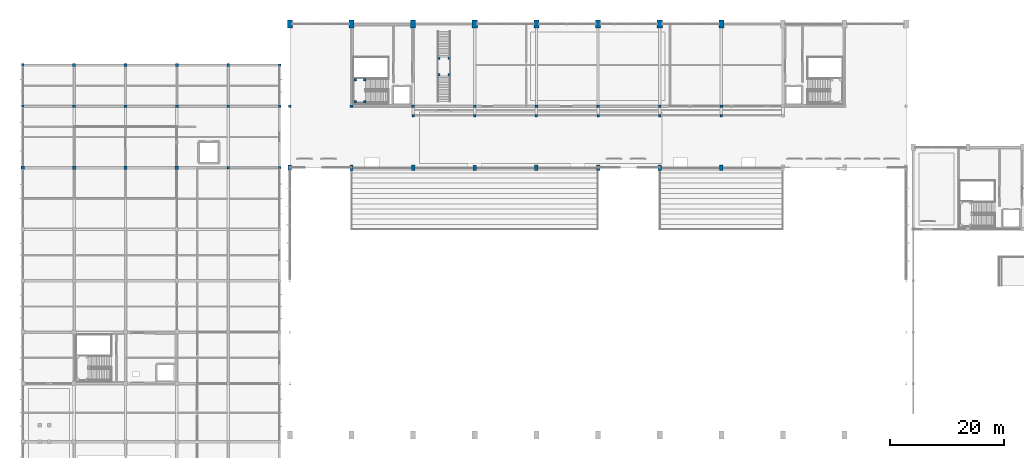
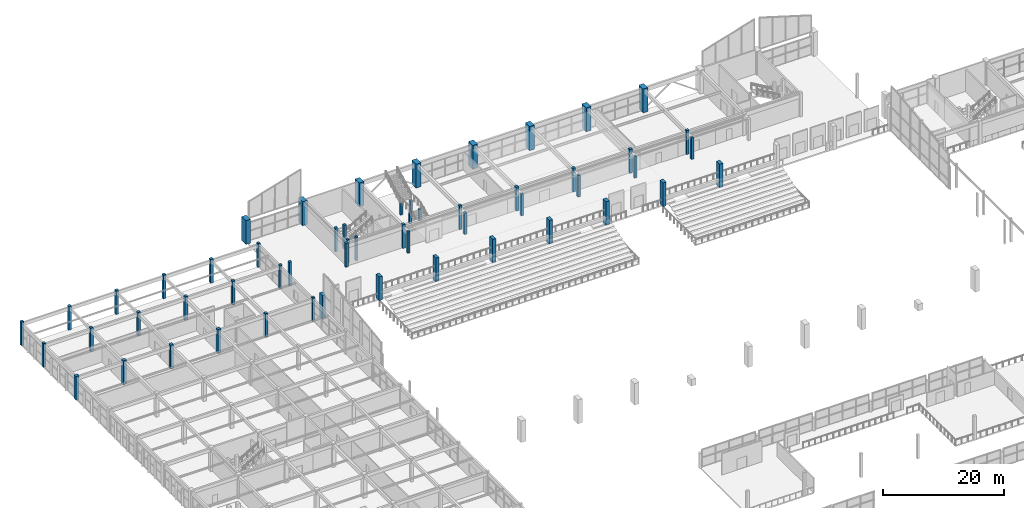
# One storey, part 5 of 74: 56 columns.
"""IFC4 building model written with IfcOpenShell, lengths in metres."""

from ifc_helpers import new_model, si_unit, direction, frame, origin, origin_2d, place, context, subcontext, project, spatial, rectangle, extrude, material, material_profile, profile_set, type_object, element, save


model = new_model("IFC4")

# Units and contexts
model_context = context("Model", 3, precision=1e-05, world=origin(), true_north=direction((0.0, 1.0)))
body_context = subcontext(model_context, "Body", "Model", "MODEL_VIEW")
ifc_project = project(units=[si_unit("LENGTHUNIT", "METRE"), si_unit("AREAUNIT", "SQUARE_METRE"), si_unit("VOLUMEUNIT", "CUBIC_METRE"), si_unit("PLANEANGLEUNIT", "RADIAN"), si_unit("MASSUNIT", "GRAM", prefix="KILO")], contexts=[model_context])

# Site, building, storey
site_placement = place(None, origin())
site = spatial("IfcSite", under=ifc_project, at=site_placement, CompositionType="ELEMENT")
building_placement = place(site_placement, origin())
building = spatial("IfcBuilding", under=site, at=building_placement, Name="Suirenkawa Promenade Aquatics Centre", CompositionType="ELEMENT")
storey_placement = place(building_placement, frame((0.0, 0.0, 4.800048828125)))
storey = spatial("IfcBuildingStorey", under=building, at=storey_placement, Name="L01", CompositionType="ELEMENT", Elevation=4.800048828125)

# Columns
ifc_material = material(Name="Concrete M40", Category="concrete")
ifc_material_profile_1 = material_profile(ifc_material, rectangle(XDim=0.60009765625, YDim=1.0, at=origin_2d()), Name="RC PIER 600x1000", Category="concrete")
ifc_profile_set_1 = profile_set([ifc_material_profile_1], Name="Concrete M40")
column_type_1 = type_object("IfcColumnType", Name="CT-PIER-600x1000", PredefinedType="COLUMN", material=ifc_profile_set_1)
for number, where, z_axis, x_axis, name in (
    (1, (46.800048828125, 97.199951171875, 0.0), (0.0, 0.0, 1.0), (1.0, 0.0, 0.0), "Column CL-07 COL-0105"),
    (2, (57.60009765625, 97.199951171875, 0.0), (0.0, 0.0, 1.0), (1.0, 0.0, 0.0), "Column CL-07 COL-0111"),
    (3, (68.39990234375, 97.199951171875, 0.0), (0.0, 0.0, 1.0), (1.0, 0.0, 0.0), "Column CL-07 COL-0114"),
    (4, (79.199951171875, 97.199951171875, 0.0), (0.0, 0.0, 1.0), (1.0, 0.0, 0.0), "Column CL-07 COL-0120"),
    (5, (90.0, 97.199951171875, 0.0), (0.0, 0.0, 1.0), (1.0, 0.0, 0.0), "Column CL-07 COL-0126"),
    (6, (100.800048828125, 97.199951171875, 0.0), (0.0, 0.0, 1.0), (1.0, 0.0, 0.0), "Column CL-07 COL-0132"),
    (7, (111.60009765625, 97.199951171875, 0.0), (0.0, 0.0, 1.0), (1.0, 0.0, 0.0), "Column CL-07 COL-0135"),
    (8, (122.39990234375, 97.199951171875, 0.0), (0.0, 0.0, 1.0), (1.0, 0.0, 0.0), "Column CL-07 COL-0141"),
):
    element("IfcColumn", number, at=place(storey_placement, frame(where, z_axis=z_axis, x_axis=x_axis)), inside=storey, type_object=column_type_1, Name=name, PredefinedType="COLUMN", context=body_context, shape_type="SweptSolid", body=[
        extrude(rectangle(XDim=0.60009765625, YDim=1.0, at=origin_2d()), origin(), (0.0, 0.0, 1.0), 4.800048828125),
    ])
ifc_material_profile_2 = material_profile(ifc_material, rectangle(XDim=0.89990234375, YDim=1.39990234375, at=origin_2d()), Name="RC PIER 900x1400", Category="concrete")
ifc_profile_set_2 = profile_set([ifc_material_profile_2], Name="Concrete M40")
column_type_2 = type_object("IfcColumnType", Name="CT-PIER-900x1400", PredefinedType="COLUMN", material=ifc_profile_set_2)
for number, where, z_axis, x_axis, name in (
    (9, (68.39990234375, 122.39990234375, 0.0), (0.0, 0.0, 1.0), (1.0, 0.0, 0.0), "Column CL-09 COL-0003"),
    (10, (111.60009765625, 122.39990234375, 0.0), (0.0, 0.0, 1.0), (1.0, 0.0, 0.0), "Column CL-09 COL-0008"),
    (11, (46.800048828125, 122.39990234375, 0.0), (0.0, 0.0, 1.0), (1.0, 0.0, 0.0), "Column CL-09 COL-0038"),
    (12, (57.60009765625, 122.39990234375, 0.0), (0.0, 0.0, 1.0), (1.0, 0.0, 0.0), "Column CL-09 COL-0042"),
    (13, (79.199951171875, 122.39990234375, 0.0), (0.0, 0.0, 1.0), (1.0, 0.0, 0.0), "Column CL-09 COL-0050"),
    (14, (90.0, 122.39990234375, 0.0), (0.0, 0.0, 1.0), (1.0, 0.0, 0.0), "Column CL-09 COL-0054"),
    (15, (100.800048828125, 122.39990234375, 0.0), (0.0, 0.0, 1.0), (1.0, 0.0, 0.0), "Column CL-09 COL-0058"),
    (16, (122.39990234375, 122.39990234375, 0.0), (0.0, 0.0, 1.0), (1.0, 0.0, 0.0), "Column CL-09 COL-0066"),
):
    element("IfcColumn", number, at=place(storey_placement, frame(where, z_axis=z_axis, x_axis=x_axis)), inside=storey, type_object=column_type_2, Name=name, PredefinedType="COLUMN", context=body_context, shape_type="SweptSolid", body=[
        extrude(rectangle(XDim=0.89990234375, YDim=1.39990234375, at=origin_2d()), origin(), (0.0, 0.0, 1.0), 4.800048828125),
    ])
ifc_material_profile_3 = material_profile(ifc_material, rectangle(XDim=0.449951171875, YDim=0.449951171875, at=origin_2d()), Name="RC COL 450x450", Category="concrete")
ifc_profile_set_3 = profile_set([ifc_material_profile_3], Name="Concrete M40")
column_type_3 = type_object("IfcColumnType", Name="CT-RC-450", PredefinedType="COLUMN", material=ifc_profile_set_3)
for number, where, z_axis, x_axis, name in (
    (17, (45.0, 97.199951171875, 0.0), (0.0, 0.0, 1.0), (1.0, 0.0, 0.0), "Column CL-01 COL-0748"),
    (18, (45.0, 108.0, 0.0), (0.0, 0.0, 1.0), (1.0, 0.0, 0.0), "Column CL-01 COL-0751"),
    (19, (45.0, 115.199951171875, 0.0), (0.0, 0.0, 1.0), (1.0, 0.0, 0.0), "Column CL-01 COL-0754"),
    (20, (46.800048828125, 108.0, 0.0), (0.0, 0.0, 1.0), (1.0, 0.0, 0.0), "Column CL-01 COL-0757"),
):
    element("IfcColumn", number, at=place(storey_placement, frame(where, z_axis=z_axis, x_axis=x_axis)), inside=storey, type_object=column_type_3, Name=name, PredefinedType="COLUMN", context=body_context, shape_type="SweptSolid", body=[
        extrude(rectangle(XDim=0.449951171875, YDim=0.449951171875, at=origin_2d()), origin(), (0.0, 0.0, 1.0), 4.800048828125),
    ])
for number, where, z_axis, x_axis, name in (
    (21, (68.39990234375, 106.35009765625, 0.0), (0.0, 0.0, 1.0), (1.0, 0.0, 0.0), "Column CL-01 COL-0760"),
    (22, (79.199951171875, 106.35009765625, 0.0), (0.0, 0.0, 1.0), (1.0, 0.0, 0.0), "Column CL-01 COL-0763"),
    (23, (90.0, 106.35009765625, 0.0), (0.0, 0.0, 1.0), (1.0, 0.0, 0.0), "Column CL-01 COL-0766"),
    (24, (100.800048828125, 106.35009765625, 0.0), (0.0, 0.0, 1.0), (1.0, 0.0, 0.0), "Column CL-01 COL-0769"),
    (25, (111.60009765625, 106.35009765625, 0.0), (0.0, 0.0, 1.0), (1.0, 0.0, 0.0), "Column CL-01 COL-0772"),
    (26, (122.39990234375, 106.35009765625, 0.0), (0.0, 0.0, 1.0), (1.0, 0.0, 0.0), "Column CL-01 COL-0775"),
):
    element("IfcColumn", number, at=place(storey_placement, frame(where, z_axis=z_axis, x_axis=x_axis)), inside=storey, type_object=column_type_3, Name=name, PredefinedType="COLUMN", context=body_context, shape_type="SweptSolid", body=[
        extrude(rectangle(XDim=0.449951171875, YDim=0.449951171875, at=origin_2d()), origin(), (0.0, 0.0, 1.0), 4.31005859375),
    ])
for number, where, z_axis, x_axis, name in (
    (27, (72.89501953125, 113.52490234375, 0.0), (0.0, 0.0, 1.0), (1.0, 0.0, 0.0), "Column CL-01 COL-0910"),
    (28, (72.89501953125, 116.425048828125, 0.0), (0.0, 0.0, 1.0), (1.0, 0.0, 0.0), "Column CL-01 COL-0913"),
    (29, (74.705078125, 113.52490234375, 0.0), (0.0, 0.0, 1.0), (1.0, 0.0, 0.0), "Column CL-01 COL-0916"),
    (30, (74.705078125, 116.425048828125, 0.0), (0.0, 0.0, 1.0), (1.0, 0.0, 0.0), "Column CL-01 COL-0919"),
):
    element("IfcColumn", number, at=place(storey_placement, frame(where, z_axis=z_axis, x_axis=x_axis)), inside=storey, type_object=column_type_3, Name=name, PredefinedType="COLUMN", context=body_context, shape_type="SweptSolid", body=[
        extrude(rectangle(XDim=0.449951171875, YDim=0.449951171875, at=origin_2d()), origin(), (0.0, 0.0, 1.0), 2.239990234375),
    ])
for number, where, z_axis, x_axis, name in (
    (31, (58.25, 108.77001953125, 0.0), (0.0, 0.0, 1.0), (1.0, 0.0, 0.0), "Core stair landing column CL-01 COL-CR-C3-L01-1"),
    (32, (59.89990234375, 108.77001953125, 0.0), (0.0, 0.0, 1.0), (1.0, 0.0, 0.0), "Core stair landing column CL-01 COL-CR-C3-L01-2"),
    (33, (58.25, 112.659912109375, 0.0), (0.0, 0.0, 1.0), (1.0, 0.0, 0.0), "Core stair landing column CL-01 COL-CR-C3-L01-3"),
    (34, (59.89990234375, 112.659912109375, 0.0), (0.0, 0.0, 1.0), (1.0, 0.0, 0.0), "Core stair landing column CL-01 COL-CR-C3-L01-4"),
):
    element("IfcColumn", number, at=place(storey_placement, frame(where, z_axis=z_axis, x_axis=x_axis)), inside=storey, type_object=column_type_3, Name=name, PredefinedType="COLUMN", context=body_context, shape_type="SweptSolid", body=[
        extrude(rectangle(XDim=0.449951171875, YDim=0.449951171875, at=origin_2d()), origin(), (0.0, 0.0, 1.0), 4.800048828125),
    ])
ifc_material_profile_4 = material_profile(ifc_material, rectangle(XDim=0.5, YDim=0.5, at=origin_2d()), Name="RC COL 500x500", Category="concrete")
ifc_profile_set_4 = profile_set([ifc_material_profile_4], Name="Concrete M40")
column_type_4 = type_object("IfcColumnType", Name="CT-RC-500", PredefinedType="COLUMN", material=ifc_profile_set_4)
for number, where, z_axis, x_axis, name in (
    (35, (0.0, 108.0, 0.0), (0.0, 0.0, 1.0), (1.0, 0.0, 0.0), "Column CL-02 COL-0494"),
    (36, (0.0, 115.199951171875, 0.0), (0.0, 0.0, 1.0), (1.0, 0.0, 0.0), "Column CL-02 COL-0498"),
    (37, (9.0, 108.0, 0.0), (0.0, 0.0, 1.0), (1.0, 0.0, 0.0), "Column CL-02 COL-0502"),
    (38, (9.0, 115.199951171875, 0.0), (0.0, 0.0, 1.0), (1.0, 0.0, 0.0), "Column CL-02 COL-0506"),
    (39, (18.0, 108.0, 0.0), (0.0, 0.0, 1.0), (1.0, 0.0, 0.0), "Column CL-02 COL-0510"),
    (40, (18.0, 115.199951171875, 0.0), (0.0, 0.0, 1.0), (1.0, 0.0, 0.0), "Column CL-02 COL-0514"),
    (41, (27.0, 108.0, 0.0), (0.0, 0.0, 1.0), (1.0, 0.0, 0.0), "Column CL-02 COL-0518"),
    (42, (27.0, 115.199951171875, 0.0), (0.0, 0.0, 1.0), (1.0, 0.0, 0.0), "Column CL-02 COL-0522"),
    (43, (36.0, 97.199951171875, 0.0), (0.0, 0.0, 1.0), (1.0, 0.0, 0.0), "Column CL-02 COL-0566"),
    (44, (36.0, 108.0, 0.0), (0.0, 0.0, 1.0), (1.0, 0.0, 0.0), "Column CL-02 COL-0570"),
    (45, (36.0, 115.199951171875, 0.0), (0.0, 0.0, 1.0), (1.0, 0.0, 0.0), "Column CL-02 COL-0574"),
    (46, (57.60009765625, 108.0, 0.0), (0.0, 0.0, 1.0), (1.0, 0.0, 0.0), "Column CL-02 COL-0578"),
    (47, (68.39990234375, 108.0, 0.0), (0.0, 0.0, 1.0), (1.0, 0.0, 0.0), "Column CL-02 COL-0582"),
    (48, (79.199951171875, 108.0, 0.0), (0.0, 0.0, 1.0), (1.0, 0.0, 0.0), "Column CL-02 COL-0586"),
    (49, (90.0, 108.0, 0.0), (0.0, 0.0, 1.0), (1.0, 0.0, 0.0), "Column CL-02 COL-0590"),
    (50, (100.800048828125, 108.0, 0.0), (0.0, 0.0, 1.0), (1.0, 0.0, 0.0), "Column CL-02 COL-0594"),
    (51, (111.60009765625, 108.0, 0.0), (0.0, 0.0, 1.0), (1.0, 0.0, 0.0), "Column CL-02 COL-0598"),
    (52, (122.39990234375, 108.0, 0.0), (0.0, 0.0, 1.0), (1.0, 0.0, 0.0), "Column CL-02 COL-0602"),
):
    element("IfcColumn", number, at=place(storey_placement, frame(where, z_axis=z_axis, x_axis=x_axis)), inside=storey, type_object=column_type_4, Name=name, PredefinedType="COLUMN", context=body_context, shape_type="SweptSolid", body=[
        extrude(rectangle(XDim=0.5, YDim=0.5, at=origin_2d()), origin(), (0.0, 0.0, 1.0), 4.800048828125),
    ])
ifc_material_profile_5 = material_profile(ifc_material, rectangle(XDim=0.60009765625, YDim=0.60009765625, at=origin_2d()), Name="RC COL 600x600", Category="concrete")
ifc_profile_set_5 = profile_set([ifc_material_profile_5], Name="Concrete M40")
column_type_5 = type_object("IfcColumnType", Name="CT-RC-600", PredefinedType="COLUMN", material=ifc_profile_set_5)
for number, where, z_axis, x_axis, name in (
    (53, (0.0, 97.199951171875, 0.0), (0.0, 0.0, 1.0), (1.0, 0.0, 0.0), "Column CL-03 COL-0364"),
    (54, (9.0, 97.199951171875, 0.0), (0.0, 0.0, 1.0), (1.0, 0.0, 0.0), "Column CL-03 COL-0379"),
    (55, (18.0, 97.199951171875, 0.0), (0.0, 0.0, 1.0), (1.0, 0.0, 0.0), "Column CL-03 COL-0394"),
    (56, (27.0, 97.199951171875, 0.0), (0.0, 0.0, 1.0), (1.0, 0.0, 0.0), "Column CL-03 COL-0409"),
):
    element("IfcColumn", number, at=place(storey_placement, frame(where, z_axis=z_axis, x_axis=x_axis)), inside=storey, type_object=column_type_5, Name=name, PredefinedType="COLUMN", context=body_context, shape_type="SweptSolid", body=[
        extrude(rectangle(XDim=0.60009765625, YDim=0.60009765625, at=origin_2d()), origin(), (0.0, 0.0, 1.0), 4.800048828125),
    ])

save(model, "model.ifc")
